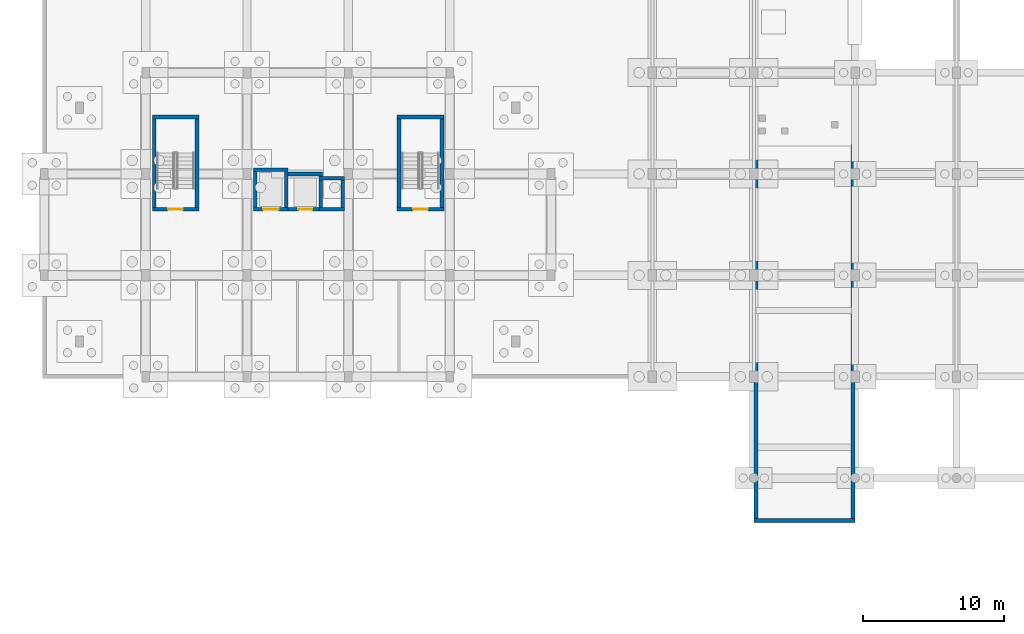
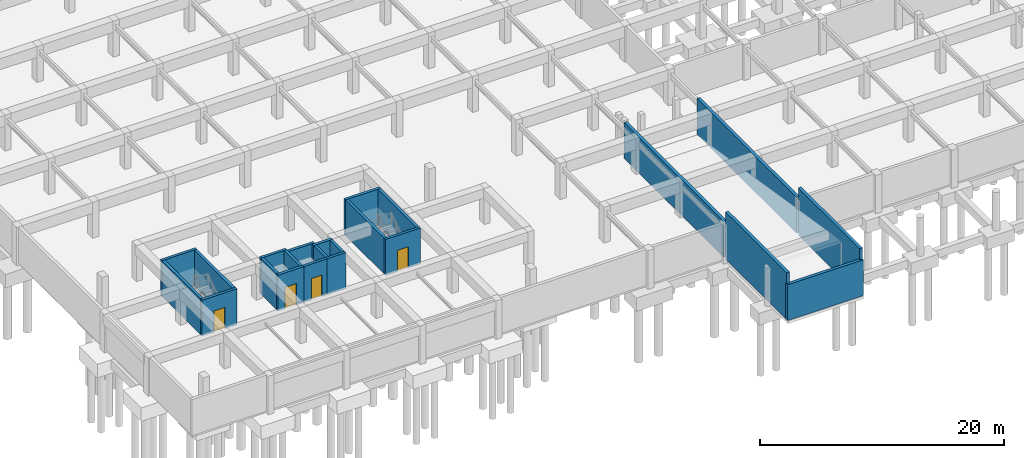
# One storey, part 24 of 36: 23 walls, 4 doors, 4 openings.
"""IFC4 building model written with IfcOpenShell, lengths in metres."""

import ifcopenshell
import ifcopenshell.guid

model = None  # the IFC model being written
_history = None  # IfcOwnerHistory: only IFC2X3 demands one
_inside = {}  # id of a spatial element -> (the spatial element, [elements in it])
_under = {}  # id of a project, library or spatial element -> (it, [spatial elements below it])
_declared = {}  # id of a project -> (the project, [libraries it declares])
_typed = {}  # id of a type object -> (the type object, [elements of that type])
_made_of = {}  # id of a material, layer set ... -> (it, [elements and type objects made of it])


def new_model(schema):
    """Start an empty IFC model of exactly this schema.

    Asked for "IFC4X3", IfcOpenShell would pick the latest addendum, in which some entities
    have other attributes; the version numbers below select the first issue.
    IFC2X3 requires an IfcOwnerHistory on every rooted entity: one is made here for all.
    """
    global model, _history
    if schema == "IFC4X3":
        model = ifcopenshell.file(schema_version=(4, 3, 0, 0))
    else:
        model = ifcopenshell.file(schema=schema)
    _inside.clear()
    _under.clear()
    _declared.clear()
    _typed.clear()
    _made_of.clear()
    _history = None
    if model.schema == "IFC2X3":
        org = make("IfcOrganization", Name="unknown")
        user = make(
            "IfcPersonAndOrganization",
            ThePerson=make("IfcPerson", FamilyName="unknown"),
            TheOrganization=org,
        )
        app = make(
            "IfcApplication",
            ApplicationDeveloper=org,
            Version="unknown",
            ApplicationFullName="unknown",
            ApplicationIdentifier="unknown",
        )
        _history = make(
            "IfcOwnerHistory",
            OwningUser=user,
            OwningApplication=app,
            ChangeAction="ADDED",
            CreationDate=0,
        )
    return model


def make(cls, **values):
    """One entity of the class cls with the attributes given. An attribute that is None is left unset."""
    return model.create_entity(
        cls, **{name: value for name, value in values.items() if value is not None}
    )


def rooted(cls, **values):
    """An entity with a GlobalId (a new one), such as an element, a storey or a relation."""
    return make(cls, GlobalId=ifcopenshell.guid.new(), OwnerHistory=_history, **values)


def si_unit(unit_type, name, prefix=None):
    """IfcSIUnit, for example si_unit("LENGTHUNIT", "METRE", prefix="MILLI")."""
    return make("IfcSIUnit", UnitType=unit_type, Prefix=prefix, Name=name)


def assignment(units):
    """IfcUnitAssignment: the units of a project."""
    return None if units is None else make("IfcUnitAssignment", Units=units)


def point(xyz):
    """IfcCartesianPoint."""
    return None if xyz is None else make("IfcCartesianPoint", Coordinates=xyz)


def direction(xyz):
    """IfcDirection."""
    return None if xyz is None else make("IfcDirection", DirectionRatios=xyz)


def frame(location, z_axis=None, x_axis=None):
    """IfcAxis2Placement3D, a coordinate frame: its origin and axes. An axis left out is left unset."""
    return make(
        "IfcAxis2Placement3D",
        Location=point(location),
        Axis=direction(z_axis),
        RefDirection=direction(x_axis),
    )


def frame_2d(location, x_axis=None):
    """IfcAxis2Placement2D, a coordinate frame in the plane: its origin and x axis."""
    return make(
        "IfcAxis2Placement2D", Location=point(location), RefDirection=direction(x_axis)
    )


def origin():
    """The frame at (0, 0, 0) with its axes left unset."""
    return frame((0.0, 0.0, 0.0))


def place(relative_to, where):
    """IfcLocalPlacement: puts the frame where relative to a parent placement (None: the world)."""
    return make(
        "IfcLocalPlacement", PlacementRelTo=relative_to, RelativePlacement=where
    )


def context(
    kind, dimensions, precision=None, world=None, true_north=None, identifier=None
):
    """IfcGeometricRepresentationContext, for example the 3D "Model" context."""
    return make(
        "IfcGeometricRepresentationContext",
        ContextIdentifier=identifier,
        ContextType=kind,
        CoordinateSpaceDimension=dimensions,
        Precision=precision,
        WorldCoordinateSystem=world,
        TrueNorth=true_north,
    )


def subcontext(parent, identifier, kind, view, scale=None):
    """IfcGeometricRepresentationSubContext, for example "Body" below "Model"."""
    return make(
        "IfcGeometricRepresentationSubContext",
        ContextIdentifier=identifier,
        ContextType=kind,
        ParentContext=parent,
        TargetScale=scale,
        TargetView=view,
    )


def project(units=None, contexts=None):
    """IfcProject with its units and contexts."""
    return rooted(
        "IfcProject",
        Name="project",
        RepresentationContexts=contexts,
        UnitsInContext=assignment(units),
    )


def spatial(cls, under=None, at=None, **own):
    """A site, building, storey or space (cls), placed at a placement, below another one or the project."""
    s = rooted(cls, ObjectPlacement=at, **own)
    if under is not None:
        _under.setdefault(under.id(), (under, []))[1].append(s)
    return s


def profile(cls, at=None, kind="AREA", **sizes):
    """A parametric profile (cls). Its sizes go by their IFC names, for example OverallWidth=200.0."""
    return make(cls, ProfileType=kind, Position=at, **sizes)


def rectangle(**sizes):
    """IfcRectangleProfileDef."""
    return profile("IfcRectangleProfileDef", **sizes)


def extrude(swept, where, along, depth):
    """IfcExtrudedAreaSolid: the profile swept, set in the frame where, extruded along a direction by depth."""
    return make(
        "IfcExtrudedAreaSolid",
        SweptArea=swept,
        Position=where,
        ExtrudedDirection=direction(along),
        Depth=depth,
    )


def shape(context_of_items, identifier, shape_type, items):
    """IfcShapeRepresentation: the items that make up one representation, for example the "Body"."""
    return make(
        "IfcShapeRepresentation",
        ContextOfItems=context_of_items,
        RepresentationIdentifier=identifier,
        RepresentationType=shape_type,
        Items=items,
    )


def material(Name=None, Category=None):
    """IfcMaterial."""
    return make("IfcMaterial", Name=Name, Category=Category)


def layer(
    of_material, thickness, ventilated=None, Name=None, Category=None, Priority=None
):
    """IfcMaterialLayer: one layer of a wall or slab, of a material (None: an air gap)."""
    return make(
        "IfcMaterialLayer",
        Material=of_material,
        LayerThickness=thickness,
        IsVentilated=ventilated,
        Name=Name,
        Category=Category,
        Priority=Priority,
    )


def layer_set(layers, Name=None):
    """IfcMaterialLayerSet."""
    return make("IfcMaterialLayerSet", MaterialLayers=layers, LayerSetName=Name)


def made_of(thing, what):
    """Note that an element or type object is made of a material, layer set ...; save() writes the relation."""
    if what is not None:
        _made_of.setdefault(what.id(), (what, []))[1].append(thing)
    return thing


def type_object(cls, material=None, **own):
    """A type object (cls), such as IfcWallType, which elements share."""
    return made_of(rooted(cls, **own), material)


def element(
    cls,
    number,
    at=None,
    inside=None,
    cuts=None,
    type_object=None,
    material=None,
    context=None,
    identifier="Body",
    shape_type=None,
    held_by="IfcProductDefinitionShape",
    body=None,
    shapes=None,
    **own,
):
    """One element of the class cls, such as IfcWall. Its Tag is "e" and its number.

    at: its placement. inside: the storey or other place that contains it. cuts: it is an
    opening in that element (IfcRelVoidsElement). A single representation is given by context,
    identifier, shape_type and body (its items); several are given by shapes. held_by: the class
    of the entity that holds the representations. save() writes the other relations.
    """
    e = rooted(cls, Tag="e%d" % number, ObjectPlacement=at, **own)
    if body is not None:
        shapes = [shape(context, identifier, shape_type, body)]
    if shapes is not None:
        e.Representation = make(held_by, Representations=shapes)
    if inside is not None:
        _inside.setdefault(inside.id(), (inside, []))[1].append(e)
    if cuts is not None:
        rooted(
            "IfcRelVoidsElement", RelatingBuildingElement=cuts, RelatedOpeningElement=e
        )
    if type_object is not None:
        _typed.setdefault(type_object.id(), (type_object, []))[1].append(e)
    return made_of(e, material)


def fill(opening, filler):
    """IfcRelFillsElement: the door or window that sits in an opening."""
    return rooted(
        "IfcRelFillsElement",
        RelatingOpeningElement=opening,
        RelatedBuildingElement=filler,
    )


def aggregate(whole, parts):
    """IfcRelAggregates: a whole, such as a stair, and the parts it consists of."""
    return rooted("IfcRelAggregates", RelatingObject=whole, RelatedObjects=parts)


def save(model, path):
    """Write the relations noted so far, then the file.

    IfcRelAggregates (storeys below a building ...), IfcRelContainedInSpatialStructure (elements
    in a storey), IfcRelDefinesByType, IfcRelAssociatesMaterial and IfcRelDeclares: one each for
    every whole, place, type object, material and project.
    """
    for whole, parts in _under.values():
        aggregate(whole, parts)
    for where, things in _inside.values():
        rooted(
            "IfcRelContainedInSpatialStructure",
            RelatedElements=things,
            RelatingStructure=where,
        )
    for kind, things in _typed.values():
        rooted("IfcRelDefinesByType", RelatedObjects=things, RelatingType=kind)
    for what, things in _made_of.values():
        rooted("IfcRelAssociatesMaterial", RelatedObjects=things, RelatingMaterial=what)
    for by, libraries in _declared.values():
        rooted("IfcRelDeclares", RelatingContext=by, RelatedDefinitions=libraries)
    model.write(path)


model = new_model("IFC4")

# Units and contexts
model_context = context("Model", 3, precision=1e-05, world=origin(), true_north=direction((0.0, 1.0)))
body_context = subcontext(model_context, "Body", "Model", "MODEL_VIEW")
ifc_project = project(units=[si_unit("LENGTHUNIT", "METRE"), si_unit("AREAUNIT", "SQUARE_METRE"), si_unit("VOLUMEUNIT", "CUBIC_METRE"), si_unit("PLANEANGLEUNIT", "RADIAN"), si_unit("MASSUNIT", "GRAM", prefix="KILO")], contexts=[model_context])

# Site, building, storey
site_placement = place(None, origin())
site = spatial("IfcSite", under=ifc_project, at=site_placement, CompositionType="ELEMENT")
building_placement = place(site_placement, origin())
building = spatial("IfcBuilding", under=site, at=building_placement, Name="Ochrevale Crest", CompositionType="ELEMENT")
storey_placement = place(building_placement, frame((0.0, 0.0, -3.60009765625)))
storey = spatial("IfcBuildingStorey", under=building, at=storey_placement, Name="B1", CompositionType="ELEMENT", Elevation=-3.60009765625)

# Wall, opening, door
ifc_material_1 = material(Name="Precast concrete C50/60", Category="concrete")
ifc_layer_1 = layer(ifc_material_1, 0.2548828125)
ifc_layer_set_1 = layer_set([ifc_layer_1], Name="Precast concrete C50/60")
wall_type_1 = type_object("IfcWallType", Name="WL-CORE-255", PredefinedType="SHEAR", material=ifc_layer_set_1)
wall_1_placement = place(storey_placement, frame((7.672607421875, 26.300048828125, 0.0), z_axis=(0.0, 0.0, 1.0), x_axis=(1.0, 0.0, 0.0)))
wall_1 = element("IfcWall", 1, at=wall_1_placement, inside=storey, type_object=wall_type_1, Name="Block A B1 Stair 1 precast core shear wall S", PredefinedType="SHEAR", context=body_context, shape_type="SweptSolid", body=[
    extrude(rectangle(XDim=3.304931640625, YDim=0.2548828125, at=frame_2d((1.65234375, 0.0))), origin(), (0.0, 0.0, 1.0), 3.60009765625),
])
opening_1_placement = place(wall_1_placement, frame((2.177490234375, 0.0, 0.0), z_axis=(0.0, 0.0, 1.0), x_axis=(-1.0, 0.0, 0.0)))
opening_1 = element("IfcOpeningElement", 2, at=opening_1_placement, cuts=wall_1, Name="Opening FD03", PredefinedType="OPENING", context=body_context, shape_type="SweptSolid", body=[
    extrude(rectangle(XDim=1.050048828125, YDim=2.1201171875, at=frame_2d((0.52490234375, 1.06005859375))), frame((0.0, 0.137451171875, 0.0), z_axis=(0.0, -1.0, 0.0), x_axis=(1.0, 0.0, 0.0)), (0.0, 0.0, 1.0), 0.27490234375),
])
ifc_material_2 = material(Name="Solid-core FSC hardwood", Category="wood")
door_type_1 = type_object("IfcDoorType", Name="DR-ST-1050", OperationType="NOTDEFINED", PredefinedType="DOOR", material=ifc_material_2)
door_1_placement = place(opening_1_placement, origin())
door_1 = element("IfcDoor", 3, at=door_1_placement, inside=storey, type_object=door_type_1, Name="Block A B1 fire stair 1 door", OperationType="SINGLE_SWING_RIGHT", OverallHeight=2.1201171875, OverallWidth=1.050048828125, PredefinedType="DOOR", context=body_context, shape_type="SweptSolid", body=[
    extrude(rectangle(XDim=1.050048828125, YDim=2.1201171875, at=frame_2d((0.52490234375, 1.06005859375))), frame((0.0, 0.02490234375, 0.0), z_axis=(0.0, -1.0, 0.0), x_axis=(1.0, 0.0, 0.0)), (0.0, 0.0, 1.0), 0.050048828125),
])
fill(opening_1, door_1)

# Walls
wall_2_placement = place(storey_placement, frame((7.672607421875, 32.85009765625, 0.0), z_axis=(0.0, 0.0, 1.0), x_axis=(1.0, 0.0, 0.0)))
element("IfcWall", 4, at=wall_2_placement, inside=storey, type_object=wall_type_1, Name="Block A B1 Stair 1 precast core shear wall N", PredefinedType="SHEAR", context=body_context, shape_type="SweptSolid", body=[
    extrude(rectangle(XDim=3.304931640625, YDim=0.2548828125, at=frame_2d((1.65234375, 0.0))), origin(), (0.0, 0.0, 1.0), 3.60009765625),
])
for number, where, z_axis, x_axis, name in (
    (5, (7.800048828125, 26.427490234375, 0.0), (0.0, 0.0, 1.0), (0.0, 1.0, 0.0), "Block A B1 Stair 1 precast core shear wall W"),
    (6, (10.85009765625, 26.427490234375, 0.0), (0.0, 0.0, 1.0), (0.0, 1.0, 0.0), "Block A B1 Stair 1 precast core shear wall E"),
):
    element("IfcWall", number, at=place(storey_placement, frame(where, z_axis=z_axis, x_axis=x_axis)), inside=storey, type_object=wall_type_1, Name=name, PredefinedType="SHEAR", context=body_context, shape_type="SweptSolid", body=[
        extrude(rectangle(XDim=6.294921875, YDim=0.2548828125, at=frame_2d((3.1474609375, 0.0))), origin(), (0.0, 0.0, 1.0), 3.60009765625),
    ])

# Wall, opening, door
wall_3_placement = place(storey_placement, frame((25.072509765625, 26.300048828125, 0.0), z_axis=(0.0, 0.0, 1.0), x_axis=(1.0, 0.0, 0.0)))
wall_3 = element("IfcWall", 7, at=wall_3_placement, inside=storey, type_object=wall_type_1, Name="Block A B1 Stair 2 precast core shear wall S", PredefinedType="SHEAR", context=body_context, shape_type="SweptSolid", body=[
    extrude(rectangle(XDim=3.304931640625, YDim=0.2548828125, at=frame_2d((1.65234375, 0.0))), origin(), (0.0, 0.0, 1.0), 3.60009765625),
])
opening_2_placement = place(wall_3_placement, frame((1.12744140625, 0.0, 0.0)))
opening_2 = element("IfcOpeningElement", 8, at=opening_2_placement, cuts=wall_3, Name="Opening FD03", PredefinedType="OPENING", context=body_context, shape_type="SweptSolid", body=[
    extrude(rectangle(XDim=1.050048828125, YDim=2.1201171875, at=frame_2d((0.52490234375, 1.06005859375))), frame((0.0, 0.137451171875, 0.0), z_axis=(0.0, -1.0, 0.0), x_axis=(1.0, 0.0, 0.0)), (0.0, 0.0, 1.0), 0.27490234375),
])
door_2_placement = place(opening_2_placement, origin())
door_2 = element("IfcDoor", 9, at=door_2_placement, inside=storey, type_object=door_type_1, Name="Block A B1 fire stair 2 door", OperationType="SINGLE_SWING_LEFT", OverallHeight=2.1201171875, OverallWidth=1.050048828125, PredefinedType="DOOR", context=body_context, shape_type="SweptSolid", body=[
    extrude(rectangle(XDim=1.050048828125, YDim=2.1201171875, at=frame_2d((0.52490234375, 1.06005859375))), frame((0.0, 0.02490234375, 0.0), z_axis=(0.0, -1.0, 0.0), x_axis=(1.0, 0.0, 0.0)), (0.0, 0.0, 1.0), 0.050048828125),
])
fill(opening_2, door_2)

# Walls
wall_4_placement = place(storey_placement, frame((25.072509765625, 32.85009765625, 0.0), z_axis=(0.0, 0.0, 1.0), x_axis=(1.0, 0.0, 0.0)))
element("IfcWall", 10, at=wall_4_placement, inside=storey, type_object=wall_type_1, Name="Block A B1 Stair 2 precast core shear wall N", PredefinedType="SHEAR", context=body_context, shape_type="SweptSolid", body=[
    extrude(rectangle(XDim=3.304931640625, YDim=0.2548828125, at=frame_2d((1.65234375, 0.0))), origin(), (0.0, 0.0, 1.0), 3.60009765625),
])
for number, where, z_axis, x_axis, name in (
    (11, (25.199951171875, 26.427490234375, 0.0), (0.0, 0.0, 1.0), (0.0, 1.0, 0.0), "Block A B1 Stair 2 precast core shear wall W"),
    (12, (28.25, 26.427490234375, 0.0), (0.0, 0.0, 1.0), (0.0, 1.0, 0.0), "Block A B1 Stair 2 precast core shear wall E"),
):
    element("IfcWall", number, at=place(storey_placement, frame(where, z_axis=z_axis, x_axis=x_axis)), inside=storey, type_object=wall_type_1, Name=name, PredefinedType="SHEAR", context=body_context, shape_type="SweptSolid", body=[
        extrude(rectangle(XDim=6.294921875, YDim=0.2548828125, at=frame_2d((3.1474609375, 0.0))), origin(), (0.0, 0.0, 1.0), 3.60009765625),
    ])

# Wall, opening, door
wall_5_placement = place(storey_placement, frame((14.87255859375, 26.300048828125, 0.0), z_axis=(0.0, 0.0, 1.0), x_axis=(1.0, 0.0, 0.0)))
wall_5 = element("IfcWall", 13, at=wall_5_placement, inside=storey, type_object=wall_type_1, Name="Block A B1 Lift 1 precast shaft shear wall S", PredefinedType="SHEAR", context=body_context, shape_type="SweptSolid", body=[
    extrude(rectangle(XDim=2.454833984375, YDim=0.2548828125, at=frame_2d((1.2275390625, 0.0))), origin(), (0.0, 0.0, 1.0), 3.60009765625),
])
opening_3_placement = place(wall_5_placement, frame((0.677490234375, 0.0, 0.0)))
opening_3 = element("IfcOpeningElement", 14, at=opening_3_placement, cuts=wall_5, Name="Opening LD01", PredefinedType="OPENING", context=body_context, shape_type="SweptSolid", body=[
    extrude(rectangle(XDim=1.10009765625, YDim=2.14990234375, at=frame_2d((0.550048828125, 1.074951171875))), frame((0.0, 0.137451171875, 0.0), z_axis=(0.0, -1.0, 0.0), x_axis=(1.0, 0.0, 0.0)), (0.0, 0.0, 1.0), 0.27490234375),
])
door_type_2 = type_object("IfcDoorType", Name="DR-LIFT-1100", OperationType="NOTDEFINED", PredefinedType="DOOR", material=ifc_material_2)
door_3_placement = place(opening_3_placement, origin())
door_3 = element("IfcDoor", 15, at=door_3_placement, inside=storey, type_object=door_type_2, Name="Lift LF-A1 B1 sliding landing door", OperationType="SLIDING_TO_LEFT", OverallHeight=2.14990234375, OverallWidth=1.10009765625, PredefinedType="DOOR", context=body_context, shape_type="SweptSolid", body=[
    extrude(rectangle(XDim=1.10009765625, YDim=2.14990234375, at=frame_2d((0.550048828125, 1.074951171875))), frame((0.0, 0.02490234375, 0.0), z_axis=(0.0, -1.0, 0.0), x_axis=(1.0, 0.0, 0.0)), (0.0, 0.0, 1.0), 0.050048828125),
])
fill(opening_3, door_3)

# Walls
wall_6_placement = place(storey_placement, frame((14.87255859375, 29.10009765625, 0.0), z_axis=(0.0, 0.0, 1.0), x_axis=(1.0, 0.0, 0.0)))
element("IfcWall", 16, at=wall_6_placement, inside=storey, type_object=wall_type_1, Name="Block A B1 Lift 1 precast shaft shear wall N", PredefinedType="SHEAR", context=body_context, shape_type="SweptSolid", body=[
    extrude(rectangle(XDim=2.454833984375, YDim=0.2548828125, at=frame_2d((1.2275390625, 0.0))), origin(), (0.0, 0.0, 1.0), 3.60009765625),
])
for number, where, z_axis, x_axis, name in (
    (17, (15.0, 26.427490234375, 0.0), (0.0, 0.0, 1.0), (0.0, 1.0, 0.0), "Block A B1 Lift 1 precast shaft shear wall W"),
    (18, (17.199951171875, 26.427490234375, 0.0), (0.0, 0.0, 1.0), (0.0, 1.0, 0.0), "Block A B1 Lift 1 precast shaft shear wall E"),
):
    element("IfcWall", number, at=place(storey_placement, frame(where, z_axis=z_axis, x_axis=x_axis)), inside=storey, type_object=wall_type_1, Name=name, PredefinedType="SHEAR", context=body_context, shape_type="SweptSolid", body=[
        extrude(rectangle(XDim=2.544921875, YDim=0.2548828125, at=frame_2d((1.2724609375, 0.0))), origin(), (0.0, 0.0, 1.0), 3.60009765625),
    ])

# Wall, opening, door
wall_7_placement = place(storey_placement, frame((17.322509765625, 26.300048828125, 0.0), z_axis=(0.0, 0.0, 1.0), x_axis=(1.0, 0.0, 0.0)))
wall_7 = element("IfcWall", 19, at=wall_7_placement, inside=storey, type_object=wall_type_1, Name="Block A B1 Lift 2 precast shaft shear wall S", PredefinedType="SHEAR", context=body_context, shape_type="SweptSolid", body=[
    extrude(rectangle(XDim=2.455078125, YDim=0.2548828125, at=frame_2d((1.2275390625, 0.0))), origin(), (0.0, 0.0, 1.0), 3.60009765625),
])
opening_4_placement = place(wall_7_placement, frame((0.7275390625, 0.0, 0.0)))
opening_4 = element("IfcOpeningElement", 20, at=opening_4_placement, cuts=wall_7, Name="Opening LD02", PredefinedType="OPENING", context=body_context, shape_type="SweptSolid", body=[
    extrude(rectangle(XDim=1.0, YDim=2.14990234375, at=frame_2d((0.5, 1.074951171875))), frame((0.0, 0.137451171875, 0.0), z_axis=(0.0, -1.0, 0.0), x_axis=(1.0, 0.0, 0.0)), (0.0, 0.0, 1.0), 0.27490234375),
])
door_type_3 = type_object("IfcDoorType", Name="DR-LIFT-1000", OperationType="NOTDEFINED", PredefinedType="DOOR", material=ifc_material_2)
door_4_placement = place(opening_4_placement, origin())
door_4 = element("IfcDoor", 21, at=door_4_placement, inside=storey, type_object=door_type_3, Name="Lift LP-A2 B1 sliding landing door", OperationType="SLIDING_TO_RIGHT", OverallHeight=2.14990234375, OverallWidth=1.0, PredefinedType="DOOR", context=body_context, shape_type="SweptSolid", body=[
    extrude(rectangle(XDim=1.0, YDim=2.14990234375, at=frame_2d((0.5, 1.074951171875))), frame((0.0, 0.02490234375, 0.0), z_axis=(0.0, -1.0, 0.0), x_axis=(1.0, 0.0, 0.0)), (0.0, 0.0, 1.0), 0.050048828125),
])
fill(opening_4, door_4)

# Walls
wall_8_placement = place(storey_placement, frame((17.322509765625, 28.800048828125, 0.0), z_axis=(0.0, 0.0, 1.0), x_axis=(1.0, 0.0, 0.0)))
element("IfcWall", 22, at=wall_8_placement, inside=storey, type_object=wall_type_1, Name="Block A B1 Lift 2 precast shaft shear wall N", PredefinedType="SHEAR", context=body_context, shape_type="SweptSolid", body=[
    extrude(rectangle(XDim=2.455078125, YDim=0.2548828125, at=frame_2d((1.2275390625, 0.0))), origin(), (0.0, 0.0, 1.0), 3.60009765625),
])
wall_9_placement = place(storey_placement, frame((19.64990234375, 26.427490234375, 0.0), z_axis=(0.0, 0.0, 1.0), x_axis=(0.0, 1.0, 0.0)))
element("IfcWall", 23, at=wall_9_placement, inside=storey, type_object=wall_type_1, Name="Block A B1 Lift 2 precast shaft shear wall E", PredefinedType="SHEAR", context=body_context, shape_type="SweptSolid", body=[
    extrude(rectangle(XDim=2.2451171875, YDim=0.2548828125, at=frame_2d((1.12255859375, 0.0))), origin(), (0.0, 0.0, 1.0), 3.60009765625),
])
for number, where, z_axis, x_axis, name in (
    (24, (19.5224609375, 26.300048828125, 0.0), (0.0, 0.0, 1.0), (1.0, 0.0, 0.0), "Block A B1 services riser shaft core wall S"),
    (25, (19.5224609375, 28.5, 0.0), (0.0, 0.0, 1.0), (1.0, 0.0, 0.0), "Block A B1 services riser shaft core wall N"),
):
    element("IfcWall", number, at=place(storey_placement, frame(where, z_axis=z_axis, x_axis=x_axis)), inside=storey, type_object=wall_type_1, Name=name, PredefinedType="SHEAR", context=body_context, shape_type="SweptSolid", body=[
        extrude(rectangle(XDim=1.804931640625, YDim=0.2548828125, at=frame_2d((0.90234375, 0.0))), origin(), (0.0, 0.0, 1.0), 3.60009765625),
    ])
wall_10_placement = place(storey_placement, frame((21.199951171875, 26.427490234375, 0.0), z_axis=(0.0, 0.0, 1.0), x_axis=(0.0, 1.0, 0.0)))
element("IfcWall", 26, at=wall_10_placement, inside=storey, type_object=wall_type_1, Name="Block A B1 services riser shaft core wall E", PredefinedType="SHEAR", context=body_context, shape_type="SweptSolid", body=[
    extrude(rectangle(XDim=1.945068359375, YDim=0.2548828125, at=frame_2d((0.97265625, 0.0))), origin(), (0.0, 0.0, 1.0), 3.60009765625),
])
ifc_material_3 = material(Name="Concrete C40/50", Category="concrete")
ifc_layer_2 = layer(ifc_material_3, 0.284912109375)
ifc_layer_set_2 = layer_set([ifc_layer_2], Name="Concrete C40/50")
wall_type_2 = type_object("IfcWallType", Name="WL-RET-285", PredefinedType="USERDEFINED", material=ifc_layer_set_2)
wall_11_placement = place(storey_placement, frame((50.550048828125, 4.199951171875, 0.0), z_axis=(0.0, 0.0, 1.0), x_axis=(0.0, 1.0, 0.0)))
element("IfcWall", 27, at=wall_11_placement, inside=storey, type_object=wall_type_2, Name="B1 Concrete C40/50 retaining wall RMP-W1", ObjectType="RETAININGWALL", PredefinedType="USERDEFINED", context=body_context, shape_type="SweptSolid", body=[
    extrude(rectangle(XDim=10.050048828125, YDim=0.284912109375, at=frame_2d((5.02490234375, 0.0))), origin(), (0.0, 0.0, 1.0), 4.72021484375),
])
wall_12_placement = place(storey_placement, frame((50.550048828125, 14.550048828125, 0.0), z_axis=(0.0, 0.0, 1.0), x_axis=(0.0, 1.0, 0.0)))
element("IfcWall", 28, at=wall_12_placement, inside=storey, type_object=wall_type_2, Name="B1 Concrete C40/50 retaining wall RMP-W2", ObjectType="RETAININGWALL", PredefinedType="USERDEFINED", context=body_context, shape_type="SweptSolid", body=[
    extrude(rectangle(XDim=16.349853515625, YDim=0.284912109375, at=frame_2d((8.1748046875, 0.0))), origin(), (0.0, 0.0, 1.0), 3.60009765625),
])
wall_13_placement = place(storey_placement, frame((57.449951171875, 4.199951171875, 0.0), z_axis=(0.0, 0.0, 1.0), x_axis=(0.0, 1.0, 0.0)))
element("IfcWall", 29, at=wall_13_placement, inside=storey, type_object=wall_type_2, Name="B1 Concrete C40/50 retaining wall RMP-E1", ObjectType="RETAININGWALL", PredefinedType="USERDEFINED", context=body_context, shape_type="SweptSolid", body=[
    extrude(rectangle(XDim=10.050048828125, YDim=0.284912109375, at=frame_2d((5.02490234375, 0.0))), origin(), (0.0, 0.0, 1.0), 4.72021484375),
])
wall_14_placement = place(storey_placement, frame((57.449951171875, 14.550048828125, 0.0), z_axis=(0.0, 0.0, 1.0), x_axis=(0.0, 1.0, 0.0)))
element("IfcWall", 30, at=wall_14_placement, inside=storey, type_object=wall_type_2, Name="B1 Concrete C40/50 retaining wall RMP-E2", ObjectType="RETAININGWALL", PredefinedType="USERDEFINED", context=body_context, shape_type="SweptSolid", body=[
    extrude(rectangle(XDim=16.349853515625, YDim=0.284912109375, at=frame_2d((8.1748046875, 0.0))), origin(), (0.0, 0.0, 1.0), 3.60009765625),
])
wall_15_placement = place(storey_placement, frame((50.39990234375, 4.199951171875, 0.0), z_axis=(0.0, 0.0, 1.0), x_axis=(1.0, 0.0, 0.0)))
element("IfcWall", 31, at=wall_15_placement, inside=storey, type_object=wall_type_2, Name="B1 Concrete C40/50 retaining wall RMP-S", ObjectType="RETAININGWALL", PredefinedType="USERDEFINED", context=body_context, shape_type="SweptSolid", body=[
    extrude(rectangle(XDim=7.2001953125, YDim=0.284912109375, at=frame_2d((3.60009765625, 0.0))), origin(), (0.0, 0.0, 1.0), 3.60009765625),
])

save(model, "model.ifc")
